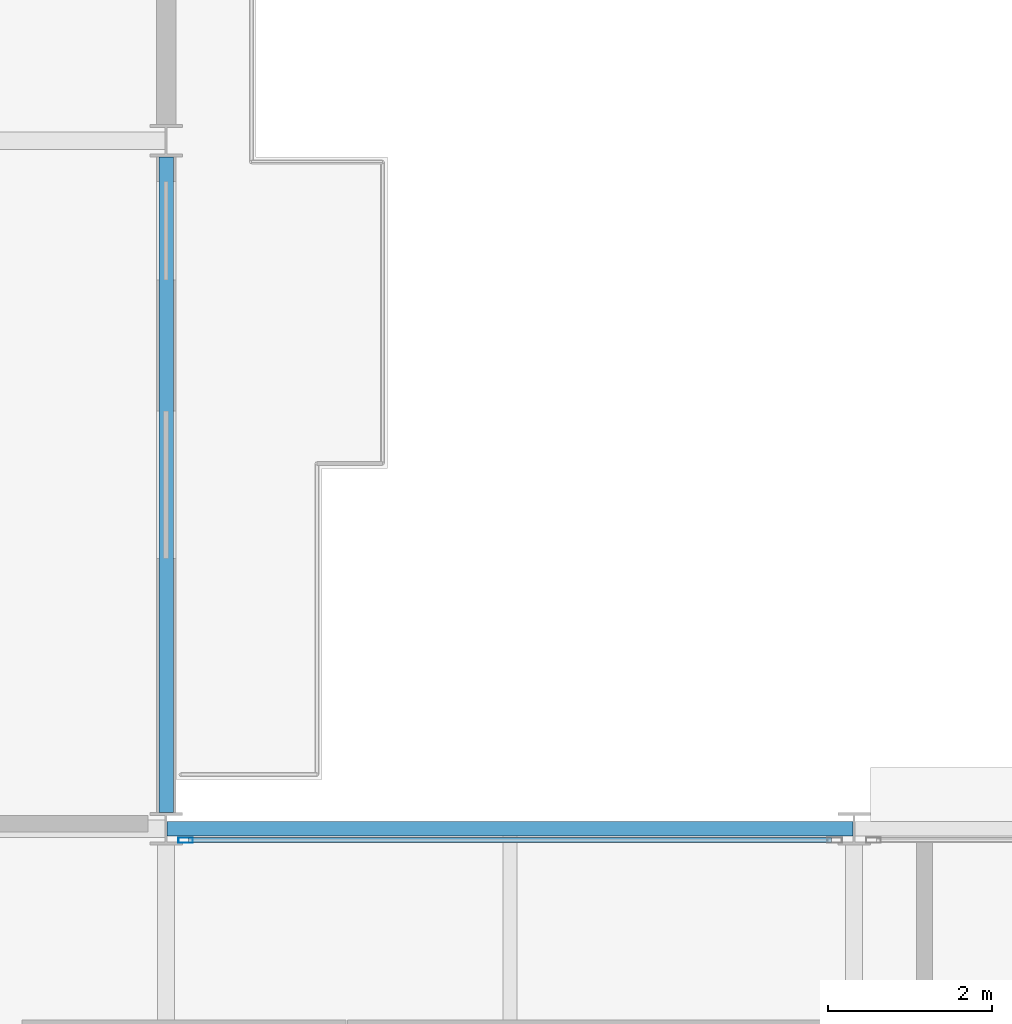
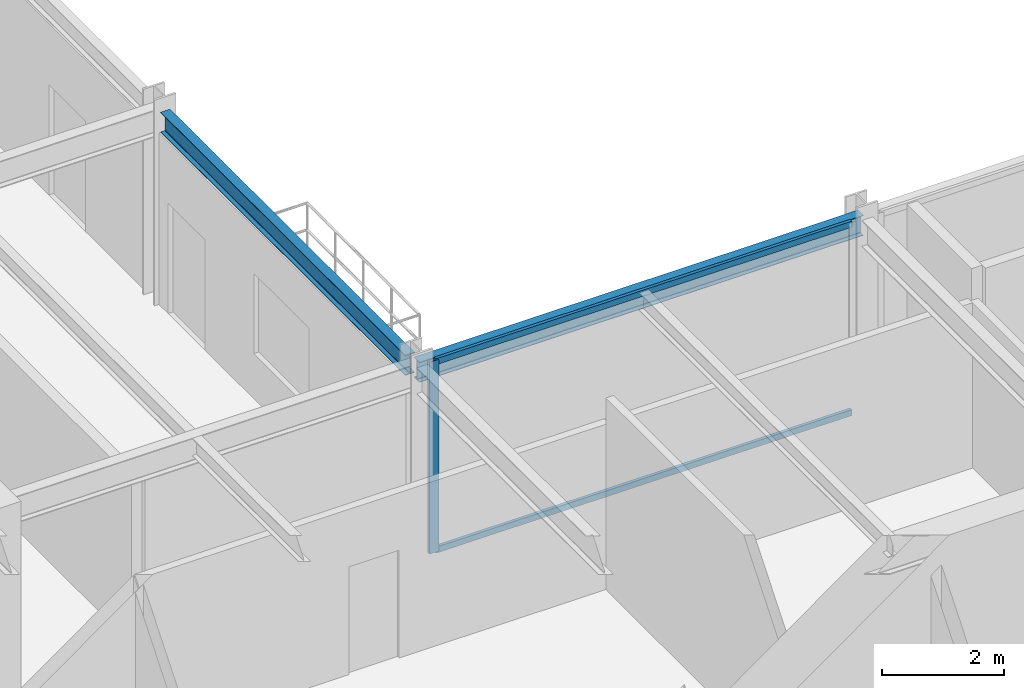
# One storey, part 12 of 30: 3 members, 2 beams, 1 element without a shape of its own.
"""IFC4 building model written with IfcOpenShell, lengths in metres."""

from ifc_helpers import new_model, si_unit, direction, frame, origin, origin_2d, place, context, subcontext, project, spatial, hollow_rectangle, i_section, extrude, material, layer, layer_set, material_profile, profile_set, type_object, element, aggregate, save


model = new_model("IFC4")

# Units and contexts
model_context = context("Model", 3, precision=1e-05, world=origin(), true_north=direction((0.0, 1.0)))
body_context = subcontext(model_context, "Body", "Model", "MODEL_VIEW")
ifc_project = project(units=[si_unit("LENGTHUNIT", "METRE"), si_unit("AREAUNIT", "SQUARE_METRE"), si_unit("VOLUMEUNIT", "CUBIC_METRE"), si_unit("PLANEANGLEUNIT", "RADIAN"), si_unit("MASSUNIT", "GRAM", prefix="KILO")], contexts=[model_context])

# Site, building, storey
site_placement = place(None, origin())
site = spatial("IfcSite", under=ifc_project, at=site_placement, CompositionType="ELEMENT")
building_placement = place(site_placement, origin())
building = spatial("IfcBuilding", under=site, at=building_placement, Name="Nerrivon Quay Data Exchange", CompositionType="ELEMENT")
storey_placement = place(building_placement, frame((0.0, 0.0, 141.800048828125)))
storey = spatial("IfcBuildingStorey", under=building, at=storey_placement, Name="L33", CompositionType="ELEMENT", Elevation=141.800048828125)

# Beams
ifc_material_1 = material(Name="Steel Grade 350", Category="steel")
ifc_material_profile_1 = material_profile(ifc_material_1, i_section(OverallWidth=0.177978515625, OverallDepth=0.403076171875, WebThickness=0.007568359375, FlangeThickness=0.010986328125, FilletRadius=0.011474609375, at=origin_2d()), Name="410UB53.7")
ifc_profile_set_1 = profile_set([ifc_material_profile_1], Name="Steel Grade 350")
beam_type = type_object("IfcBeamType", Name="BM-SP2-410UB54", PredefinedType="SPANDREL", material=ifc_profile_set_1)
beam_1_placement = place(storey_placement, frame((25.21240234375, 25.199951171875, 3.62353515625), z_axis=(1.0, 0.0, 0.0), x_axis=(0.0, 1.0, 0.0)))
element("IfcBeam", 1, at=beam_1_placement, inside=storey, type_object=beam_type, Name="L33 EW Girder Y=25.2 (25.2..33.6)", PredefinedType="SPANDREL", context=body_context, shape_type="SweptSolid", body=[
    extrude(i_section(OverallWidth=0.177978515625, OverallDepth=0.403076171875, WebThickness=0.007568359375, FlangeThickness=0.010986328125, FilletRadius=0.011474609375, at=origin_2d()), origin(), (0.0, 0.0, 1.0), 8.375),
])
beam_2_placement = place(storey_placement, frame((25.199951171875, 25.39990234375, 3.62353515625), z_axis=(0.0, 1.0, 0.0), x_axis=(-1.0, 0.0, 0.0)))
element("IfcBeam", 2, at=beam_2_placement, inside=storey, type_object=beam_type, Name="L33 NS Girder X=25.2 (25.2..33.6)", PredefinedType="SPANDREL", context=body_context, shape_type="SweptSolid", body=[
    extrude(i_section(OverallWidth=0.177978515625, OverallDepth=0.403076171875, WebThickness=0.007568359375, FlangeThickness=0.010986328125, FilletRadius=0.011474609375, at=origin_2d()), origin(), (0.0, 0.0, 1.0), 8.0),
])

# Curtain wall, members
ifc_material_2 = material(Name="Anodised aluminium 6063-T6", Category="aluminium")
ifc_layer = layer(ifc_material_2, 0.2099609375)
ifc_layer_set = layer_set([ifc_layer], Name="Anodised aluminium 6063-T6")
curtain_wall_type = type_object("IfcCurtainWallType", Name="CW-SYS-02", PredefinedType="NOTDEFINED", material=ifc_layer_set)
curtain_wall_placement = place(storey_placement, origin())
curtain_wall = element("IfcCurtainWall", 3, at=curtain_wall_placement, inside=storey, type_object=curtain_wall_type, Name="L33 Unitised Curtain Wall 26", PredefinedType="NOTDEFINED")
ifc_material_profile_2 = material_profile(ifc_material_2, hollow_rectangle(XDim=0.06494140625, YDim=0.179931640625, WallThickness=0.00341796875, at=origin_2d()), Name="ALU-MULL-180x65")
ifc_profile_set_2 = profile_set([ifc_material_profile_2], Name="Anodised aluminium 6063-T6")
member_type_1 = type_object("IfcMemberType", Name="CWM-180x65", PredefinedType="MULLION", material=ifc_profile_set_2)
member_1_placement = place(storey_placement, frame((25.4375, 25.06005859375, 0.0), z_axis=(0.0, 0.0, 1.0), x_axis=(0.0, 1.0, 0.0)))
member_1 = element("IfcMember", 4, at=member_1_placement, type_object=member_type_1, Name="CW02 mullion 1", PredefinedType="MULLION", context=body_context, shape_type="SweptSolid", body=[
    extrude(hollow_rectangle(XDim=0.06494140625, YDim=0.179931640625, WallThickness=0.00341796875, at=origin_2d()), origin(), (0.0, 0.0, 1.0), 3.824951171875),
])
ifc_material_profile_3 = material_profile(ifc_material_2, hollow_rectangle(XDim=0.06005859375, YDim=0.1201171875, WallThickness=0.003173828125, at=origin_2d()), Name="ALU-TRAN-120x60")
ifc_profile_set_3 = profile_set([ifc_material_profile_3], Name="Anodised aluminium 6063-T6")
member_type_2 = type_object("IfcMemberType", Name="CWT-120x60", PredefinedType="USERDEFINED", material=ifc_profile_set_3)
member_2_placement = place(storey_placement, frame((25.47509765625, 25.06005859375, 0.032470703125), z_axis=(1.0, 0.0, 0.0), x_axis=(0.0, 1.0, 0.0)))
member_2 = element("IfcMember", 5, at=member_2_placement, type_object=member_type_2, Name="CW02 transom 1.1", ObjectType="TRANSOM", PredefinedType="USERDEFINED", context=body_context, shape_type="SweptSolid", body=[
    extrude(hollow_rectangle(XDim=0.06005859375, YDim=0.1201171875, WallThickness=0.003173828125, at=origin_2d()), origin(), (0.0, 0.0, 1.0), 7.849853515625),
])
member_3_placement = place(storey_placement, frame((25.47509765625, 25.06005859375, 3.79248046875), z_axis=(1.0, 0.0, 0.0), x_axis=(0.0, 1.0, 0.0)))
member_3 = element("IfcMember", 6, at=member_3_placement, type_object=member_type_2, Name="CW02 transom 1.2", ObjectType="TRANSOM", PredefinedType="USERDEFINED", context=body_context, shape_type="SweptSolid", body=[
    extrude(hollow_rectangle(XDim=0.06005859375, YDim=0.1201171875, WallThickness=0.003173828125, at=origin_2d()), origin(), (0.0, 0.0, 1.0), 7.849853515625),
])
aggregate(curtain_wall, [member_1, member_2, member_3])

save(model, "model.ifc")
